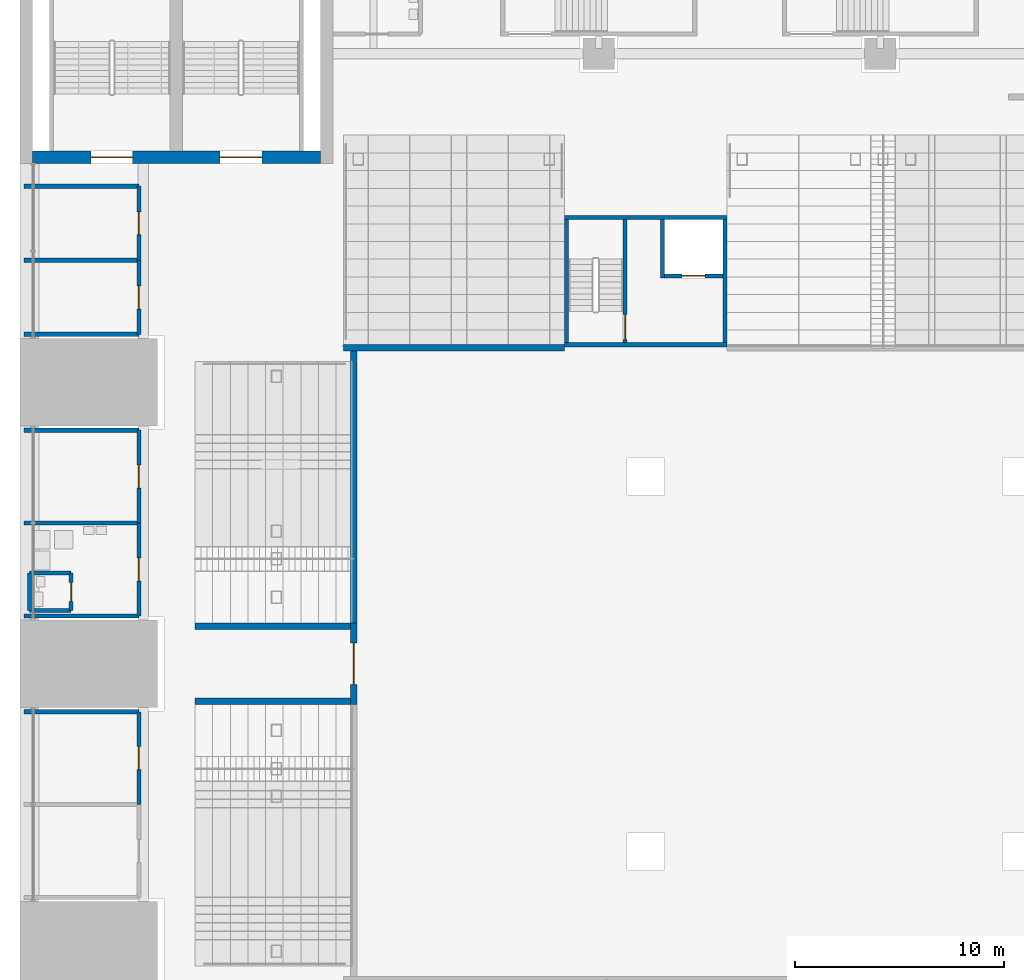
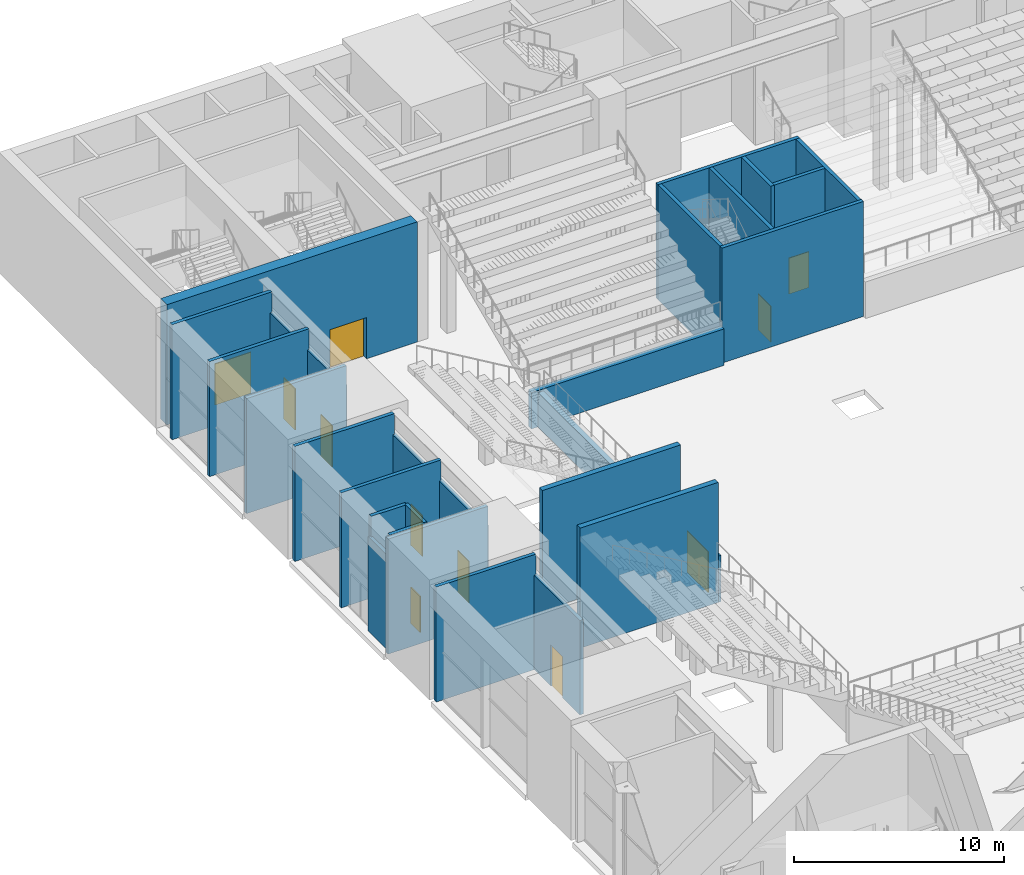
# One storey, part 36 of 62: 29 walls, 11 doors, 11 openings.
"""IFC4 building model written with IfcOpenShell, lengths in metres."""

from ifc_helpers import new_model, si_unit, direction, frame, frame_2d, origin, place, context, subcontext, project, spatial, rectangle, extrude, material, layer, layer_set, type_object, element, fill, save


model = new_model("IFC4")

# Units and contexts
model_context = context("Model", 3, precision=1e-05, world=origin(), true_north=direction((0.0, 1.0)))
body_context = subcontext(model_context, "Body", "Model", "MODEL_VIEW")
ifc_project = project(units=[si_unit("LENGTHUNIT", "METRE"), si_unit("AREAUNIT", "SQUARE_METRE"), si_unit("VOLUMEUNIT", "CUBIC_METRE"), si_unit("PLANEANGLEUNIT", "RADIAN"), si_unit("MASSUNIT", "GRAM", prefix="KILO")], contexts=[model_context])

# Site, building, storey
site_placement = place(None, origin())
site = spatial("IfcSite", under=ifc_project, at=site_placement, CompositionType="ELEMENT")
building_placement = place(site_placement, origin())
building = spatial("IfcBuilding", under=site, at=building_placement, Name="Corbelhall Arena Tower", CompositionType="ELEMENT")
storey_placement = place(building_placement, frame((0.0, 0.0, 12.0)))
storey = spatial("IfcBuildingStorey", under=building, at=storey_placement, Name="L01", CompositionType="ELEMENT", Elevation=12.0)

# Walls
ifc_material_1 = material(Name="Reinforced concrete C40/50", Category="concrete")
ifc_layer_1 = layer(ifc_material_1, 0.300048828125)
ifc_layer_set_1 = layer_set([ifc_layer_1], Name="AR-FRONT-WALL")
wall_type_1 = type_object("IfcWallType", Name="AR-FRONT-WALL", PredefinedType="SOLIDWALL", material=ifc_layer_set_1)
wall_1_placement = place(storey_placement, frame((-32.5, 15.14990234375, 0.0), z_axis=(0.0, 0.0, 1.0), x_axis=(1.0, 0.0, 0.0)))
element("IfcWall", 1, at=wall_1_placement, inside=storey, type_object=wall_type_1, Name="Tier front wall LN", PredefinedType="SOLIDWALL", context=body_context, shape_type="SweptSolid", body=[
    extrude(rectangle(XDim=10.60009765625, YDim=0.300048828125, at=frame_2d((5.300048828125, 0.0))), origin(), (0.0, 0.0, 1.0), 2.125),
])
wall_2_placement = place(storey_placement, frame((-32.0, 15.0, 0.0), z_axis=(0.0, 0.0, 1.0), x_axis=(0.0, -1.0, 0.0)))
element("IfcWall", 2, at=wall_2_placement, inside=storey, type_object=wall_type_1, Name="Tier front wall LW", PredefinedType="SOLIDWALL", context=body_context, shape_type="SweptSolid", body=[
    extrude(rectangle(XDim=13.050048828125, YDim=0.300048828125, at=frame_2d((6.52490234375, 0.0))), origin(), (0.0, 0.0, 1.0), 2.0),
])
for number, where, z_axis, x_axis, name in (
    (3, (-32.0, 1.800048828125, 0.0), (0.0, 0.0, 1.0), (-1.0, 0.0, 0.0), "Players' tunnel wall LW"),
    (4, (-32.0, -1.800048828125, 0.0), (0.0, 0.0, 1.0), (-1.0, 0.0, 0.0), "Players' tunnel wall LW"),
):
    element("IfcWall", number, at=place(storey_placement, frame(where, z_axis=z_axis, x_axis=x_axis)), inside=storey, type_object=wall_type_1, Name=name, PredefinedType="SOLIDWALL", context=body_context, shape_type="SweptSolid", body=[
        extrude(rectangle(XDim=7.60498046875, YDim=0.300048828125, at=frame_2d((3.802490234375, 0.0))), origin(), (0.0, 0.0, 1.0), 7.0),
    ])
ifc_material_2 = material(Name="Gypsum board on steel studs", Category="steel")
ifc_layer_2 = layer(ifc_material_2, 0.199951171875)
ifc_layer_set_2 = layer_set([ifc_layer_2], Name="AR-ROOM-WALL")
wall_type_2 = type_object("IfcWallType", Name="AR-ROOM-WALL", PredefinedType="PARTITIONING", material=ifc_layer_set_2)
for number, where, z_axis, x_axis, name in (
    (5, (-42.300048828125, 2.300048828125, 0.0), (0.0, 0.0, 1.0), (-1.0, 0.0, 0.0), "Team locker room 2 end wall"),
    (6, (-47.800048828125, 6.75, 0.0), (0.0, 0.0, 1.0), (1.0, 0.0, 0.0), "Team locker room 2 partition"),
):
    element("IfcWall", number, at=place(storey_placement, frame(where, z_axis=z_axis, x_axis=x_axis)), inside=storey, type_object=wall_type_2, Name=name, PredefinedType="PARTITIONING", context=body_context, shape_type="SweptSolid", body=[
        extrude(rectangle(XDim=5.5, YDim=0.199951171875, at=frame_2d((2.75, 0.0))), origin(), (0.0, 0.0, 1.0), 6.699951171875),
    ])
for number, where, z_axis, x_axis, name in (
    (7, (-47.550048828125, 2.550048828125, 0.0), (0.0, 0.0, 1.0), (1.0, 0.0, 0.0), "Team WC 2 wall"),
    (8, (-45.550048828125, 4.35009765625, 0.0), (0.0, 0.0, 1.0), (-1.0, 0.0, 0.0), "Team WC 2 wall"),
):
    element("IfcWall", number, at=place(storey_placement, frame(where, z_axis=z_axis, x_axis=x_axis)), inside=storey, type_object=wall_type_2, Name=name, PredefinedType="PARTITIONING", context=body_context, shape_type="SweptSolid", body=[
        extrude(rectangle(XDim=2.0, YDim=0.199951171875, at=frame_2d((1.0, 0.0))), origin(), (0.0, 0.0, 1.0), 6.699951171875),
    ])

# Wall, opening, door
wall_3_placement = place(storey_placement, frame((-45.550048828125, 2.550048828125, 0.0), z_axis=(0.0, 0.0, 1.0), x_axis=(0.0, 1.0, 0.0)))
wall_3 = element("IfcWall", 9, at=wall_3_placement, inside=storey, type_object=wall_type_2, Name="Team WC 2 wall", PredefinedType="PARTITIONING", context=body_context, shape_type="SweptSolid", body=[
    extrude(rectangle(XDim=1.800048828125, YDim=0.199951171875, at=frame_2d((0.89990234375, 0.0))), origin(), (0.0, 0.0, 1.0), 6.699951171875),
])
opening_1_placement = place(wall_3_placement, frame((0.449951171875, 0.0, 0.0)))
opening_1 = element("IfcOpeningElement", 10, at=opening_1_placement, cuts=wall_3, Name="Opening DA0351", PredefinedType="OPENING", context=body_context, shape_type="SweptSolid", body=[
    extrude(rectangle(XDim=0.89990234375, YDim=2.10009765625, at=frame_2d((0.449951171875, 1.050048828125))), frame((0.0, 0.10009765625, 0.0), z_axis=(0.0, -1.0, 0.0), x_axis=(1.0, 0.0, 0.0)), (0.0, 0.0, 1.0), 0.199951171875),
])
ifc_material_3 = material(Name="Timber", Category="wood")
door_type_1 = type_object("IfcDoorType", Name="AR-CELL-DOOR", OperationType="SINGLE_SWING_LEFT", PredefinedType="DOOR", material=ifc_material_3)
door_1_placement = place(opening_1_placement, origin())
door_1 = element("IfcDoor", 11, at=door_1_placement, inside=storey, type_object=door_type_1, Name="Team WC 2 door", OperationType="SINGLE_SWING_LEFT", OverallHeight=2.10009765625, OverallWidth=0.89990234375, PredefinedType="DOOR", context=body_context, shape_type="SweptSolid", body=[
    extrude(rectangle(XDim=0.89990234375, YDim=2.10009765625, at=frame_2d((0.449951171875, 1.050048828125))), frame((0.0, 0.02490234375, 0.0), z_axis=(0.0, -1.0, 0.0), x_axis=(1.0, 0.0, 0.0)), (0.0, 0.0, 1.0), 0.050048828125),
])
fill(opening_1, door_1)

# Walls
for number, where, z_axis, x_axis, name in (
    (12, (-42.300048828125, 11.199951171875, 0.0), (0.0, 0.0, 1.0), (-1.0, 0.0, 0.0), "Officials and referees room 2 end wall"),
    (13, (-42.300048828125, -2.300048828125, 0.0), (0.0, 0.0, 1.0), (-1.0, 0.0, 0.0), "Equipment store 2 end wall"),
    (14, (-42.300048828125, 15.800048828125, 0.0), (0.0, 0.0, 1.0), (-1.0, 0.0, 0.0), "Event staff room 2 end wall"),
    (15, (-47.800048828125, 19.35009765625, 0.0), (0.0, 0.0, 1.0), (1.0, 0.0, 0.0), "Event staff room 2 partition"),
    (16, (-42.300048828125, 22.89990234375, 0.0), (0.0, 0.0, 1.0), (-1.0, 0.0, 0.0), "Production control room 2 end wall"),
):
    element("IfcWall", number, at=place(storey_placement, frame(where, z_axis=z_axis, x_axis=x_axis)), inside=storey, type_object=wall_type_2, Name=name, PredefinedType="PARTITIONING", context=body_context, shape_type="SweptSolid", body=[
        extrude(rectangle(XDim=5.5, YDim=0.199951171875, at=frame_2d((2.75, 0.0))), origin(), (0.0, 0.0, 1.0), 6.699951171875),
    ])

# Wall, opening, door
wall_4_placement = place(storey_placement, frame((-32.0, 1.949951171875, 0.0), z_axis=(0.0, 0.0, 1.0), x_axis=(0.0, -1.0, 0.0)))
wall_4 = element("IfcWall", 17, at=wall_4_placement, inside=storey, type_object=wall_type_2, Name="Players' tunnel gate wall", PredefinedType="PARTITIONING", context=body_context, shape_type="SweptSolid", body=[
    extrude(rectangle(XDim=3.89990234375, YDim=0.300048828125, at=frame_2d((1.949951171875, 0.0))), origin(), (0.0, 0.0, 1.0), 2.699951171875),
])
opening_2_placement = place(wall_4_placement, frame((0.949951171875, 0.0, 0.0)))
opening_2 = element("IfcOpeningElement", 18, at=opening_2_placement, cuts=wall_4, Name="Opening DA0484", PredefinedType="OPENING", context=body_context, shape_type="SweptSolid", body=[
    extrude(rectangle(XDim=2.0, YDim=2.39990234375, at=frame_2d((1.0, 1.199951171875))), frame((0.0, 0.14990234375, 0.0), z_axis=(0.0, -1.0, 0.0), x_axis=(1.0, 0.0, 0.0)), (0.0, 0.0, 1.0), 0.300048828125),
])
ifc_material_4 = material(Name="Steel and glass", Category="steel")
door_type_2 = type_object("IfcDoorType", Name="AR-EXIT-DOOR", OperationType="DOUBLE_DOOR_SINGLE_SWING", PredefinedType="DOOR", material=ifc_material_4)
door_2_placement = place(opening_2_placement, frame((2.0, 0.0, 0.0), z_axis=(0.0, 0.0, 1.0), x_axis=(-1.0, 0.0, 0.0)))
door_2 = element("IfcDoor", 19, at=door_2_placement, inside=storey, type_object=door_type_2, Name="Event floor gate", OperationType="DOUBLE_DOOR_SINGLE_SWING", OverallHeight=2.39990234375, OverallWidth=2.0, PredefinedType="DOOR", context=body_context, shape_type="SweptSolid", body=[
    extrude(rectangle(XDim=2.0, YDim=2.39990234375, at=frame_2d((1.0, 1.199951171875))), frame((0.0, 0.02490234375, 0.0), z_axis=(0.0, -1.0, 0.0), x_axis=(1.0, 0.0, 0.0)), (0.0, 0.0, 1.0), 0.050048828125),
])
fill(opening_2, door_2)

ifc_layer_3 = layer(ifc_material_2, 0.199951171875)
ifc_layer_set_3 = layer_set([ifc_layer_3], Name="AR-ROOM-WALL under beam 1200 mm")
wall_type_3 = type_object("IfcWallType", Name="AR-ROOM-WALL under beam 1200 mm", PredefinedType="PARTITIONING", material=ifc_layer_set_3)
wall_5_placement = place(storey_placement, frame((-42.300048828125, 2.300048828125, 0.0), z_axis=(0.0, 0.0, 1.0), x_axis=(0.0, 1.0, 0.0)))
wall_5 = element("IfcWall", 20, at=wall_5_placement, inside=storey, type_object=wall_type_3, Name="Team locker room 2 wall", PredefinedType="PARTITIONING", context=body_context, shape_type="SweptSolid", body=[
    extrude(rectangle(XDim=4.449951171875, YDim=0.199951171875, at=frame_2d((2.22509765625, 0.0))), origin(), (0.0, 0.0, 1.0), 5.5),
])
opening_3_placement = place(wall_5_placement, frame((1.675048828125, 0.0, 0.0)))
opening_3 = element("IfcOpeningElement", 21, at=opening_3_placement, cuts=wall_5, Name="Opening DA0350", PredefinedType="OPENING", context=body_context, shape_type="SweptSolid", body=[
    extrude(rectangle(XDim=1.10009765625, YDim=2.39990234375, at=frame_2d((0.550048828125, 1.199951171875))), frame((0.0, 0.10009765625, 0.0), z_axis=(0.0, -1.0, 0.0), x_axis=(1.0, 0.0, 0.0)), (0.0, 0.0, 1.0), 0.199951171875),
])
door_type_3 = type_object("IfcDoorType", Name="AR-ROOM-DOOR", OperationType="DOUBLE_DOOR_SINGLE_SWING", PredefinedType="DOOR", material=ifc_material_3)
door_3_placement = place(opening_3_placement, origin())
door_3 = element("IfcDoor", 22, at=door_3_placement, inside=storey, type_object=door_type_3, Name="Team locker room 2 door", OperationType="DOUBLE_DOOR_SINGLE_SWING", OverallHeight=2.39990234375, OverallWidth=1.10009765625, PredefinedType="DOOR", context=body_context, shape_type="SweptSolid", body=[
    extrude(rectangle(XDim=1.10009765625, YDim=2.39990234375, at=frame_2d((0.550048828125, 1.199951171875))), frame((0.0, 0.02490234375, 0.0), z_axis=(0.0, -1.0, 0.0), x_axis=(1.0, 0.0, 0.0)), (0.0, 0.0, 1.0), 0.050048828125),
])
fill(opening_3, door_3)

# Wall
wall_6_placement = place(storey_placement, frame((-47.550048828125, 2.550048828125, 0.0), z_axis=(0.0, 0.0, 1.0), x_axis=(0.0, 1.0, 0.0)))
element("IfcWall", 23, at=wall_6_placement, inside=storey, type_object=wall_type_3, Name="Team WC 2 wall", PredefinedType="PARTITIONING", context=body_context, shape_type="SweptSolid", body=[
    extrude(rectangle(XDim=1.800048828125, YDim=0.199951171875, at=frame_2d((0.89990234375, 0.0))), origin(), (0.0, 0.0, 1.0), 5.5),
])

# Wall, opening, door
wall_7_placement = place(storey_placement, frame((-42.300048828125, 6.75, 0.0), z_axis=(0.0, 0.0, 1.0), x_axis=(0.0, 1.0, 0.0)))
wall_7 = element("IfcWall", 24, at=wall_7_placement, inside=storey, type_object=wall_type_3, Name="Officials and referees room 2 wall", PredefinedType="PARTITIONING", context=body_context, shape_type="SweptSolid", body=[
    extrude(rectangle(XDim=4.449951171875, YDim=0.199951171875, at=frame_2d((2.22509765625, 0.0))), origin(), (0.0, 0.0, 1.0), 5.5),
])
opening_4_placement = place(wall_7_placement, frame((1.675048828125, 0.0, 0.0)))
opening_4 = element("IfcOpeningElement", 25, at=opening_4_placement, cuts=wall_7, Name="Opening DA0352", PredefinedType="OPENING", context=body_context, shape_type="SweptSolid", body=[
    extrude(rectangle(XDim=1.10009765625, YDim=2.39990234375, at=frame_2d((0.550048828125, 1.199951171875))), frame((0.0, 0.10009765625, 0.0), z_axis=(0.0, -1.0, 0.0), x_axis=(1.0, 0.0, 0.0)), (0.0, 0.0, 1.0), 0.199951171875),
])
door_4_placement = place(opening_4_placement, origin())
door_4 = element("IfcDoor", 26, at=door_4_placement, inside=storey, type_object=door_type_3, Name="Officials and referees room 2 door", OperationType="DOUBLE_DOOR_SINGLE_SWING", OverallHeight=2.39990234375, OverallWidth=1.10009765625, PredefinedType="DOOR", context=body_context, shape_type="SweptSolid", body=[
    extrude(rectangle(XDim=1.10009765625, YDim=2.39990234375, at=frame_2d((0.550048828125, 1.199951171875))), frame((0.0, 0.02490234375, 0.0), z_axis=(0.0, -1.0, 0.0), x_axis=(1.0, 0.0, 0.0)), (0.0, 0.0, 1.0), 0.050048828125),
])
fill(opening_4, door_4)

wall_8_placement = place(storey_placement, frame((-42.300048828125, -6.75, 0.0), z_axis=(0.0, 0.0, 1.0), x_axis=(0.0, 1.0, 0.0)))
wall_8 = element("IfcWall", 27, at=wall_8_placement, inside=storey, type_object=wall_type_3, Name="Equipment store 2 wall", PredefinedType="PARTITIONING", context=body_context, shape_type="SweptSolid", body=[
    extrude(rectangle(XDim=4.449951171875, YDim=0.199951171875, at=frame_2d((2.22509765625, 0.0))), origin(), (0.0, 0.0, 1.0), 5.5),
])
opening_5_placement = place(wall_8_placement, frame((1.675048828125, 0.0, 0.0)))
opening_5 = element("IfcOpeningElement", 28, at=opening_5_placement, cuts=wall_8, Name="Opening DA0354", PredefinedType="OPENING", context=body_context, shape_type="SweptSolid", body=[
    extrude(rectangle(XDim=1.10009765625, YDim=2.39990234375, at=frame_2d((0.550048828125, 1.199951171875))), frame((0.0, 0.10009765625, 0.0), z_axis=(0.0, -1.0, 0.0), x_axis=(1.0, 0.0, 0.0)), (0.0, 0.0, 1.0), 0.199951171875),
])
door_5_placement = place(opening_5_placement, origin())
door_5 = element("IfcDoor", 29, at=door_5_placement, inside=storey, type_object=door_type_3, Name="Equipment store 2 door", OperationType="DOUBLE_DOOR_SINGLE_SWING", OverallHeight=2.39990234375, OverallWidth=1.10009765625, PredefinedType="DOOR", context=body_context, shape_type="SweptSolid", body=[
    extrude(rectangle(XDim=1.10009765625, YDim=2.39990234375, at=frame_2d((0.550048828125, 1.199951171875))), frame((0.0, 0.02490234375, 0.0), z_axis=(0.0, -1.0, 0.0), x_axis=(1.0, 0.0, 0.0)), (0.0, 0.0, 1.0), 0.050048828125),
])
fill(opening_5, door_5)

wall_9_placement = place(storey_placement, frame((-42.300048828125, 15.800048828125, 0.0), z_axis=(0.0, 0.0, 1.0), x_axis=(0.0, 1.0, 0.0)))
wall_9 = element("IfcWall", 30, at=wall_9_placement, inside=storey, type_object=wall_type_3, Name="Event staff room 2 wall", PredefinedType="PARTITIONING", context=body_context, shape_type="SweptSolid", body=[
    extrude(rectangle(XDim=3.550048828125, YDim=0.199951171875, at=frame_2d((1.77490234375, 0.0))), origin(), (0.0, 0.0, 1.0), 5.5),
])
opening_6_placement = place(wall_9_placement, frame((1.22509765625, 0.0, 0.0)))
opening_6 = element("IfcOpeningElement", 31, at=opening_6_placement, cuts=wall_9, Name="Opening DA0355", PredefinedType="OPENING", context=body_context, shape_type="SweptSolid", body=[
    extrude(rectangle(XDim=1.10009765625, YDim=2.39990234375, at=frame_2d((0.550048828125, 1.199951171875))), frame((0.0, 0.10009765625, 0.0), z_axis=(0.0, -1.0, 0.0), x_axis=(1.0, 0.0, 0.0)), (0.0, 0.0, 1.0), 0.199951171875),
])
door_6_placement = place(opening_6_placement, origin())
door_6 = element("IfcDoor", 32, at=door_6_placement, inside=storey, type_object=door_type_3, Name="Event staff room 2 door", OperationType="DOUBLE_DOOR_SINGLE_SWING", OverallHeight=2.39990234375, OverallWidth=1.10009765625, PredefinedType="DOOR", context=body_context, shape_type="SweptSolid", body=[
    extrude(rectangle(XDim=1.10009765625, YDim=2.39990234375, at=frame_2d((0.550048828125, 1.199951171875))), frame((0.0, 0.02490234375, 0.0), z_axis=(0.0, -1.0, 0.0), x_axis=(1.0, 0.0, 0.0)), (0.0, 0.0, 1.0), 0.050048828125),
])
fill(opening_6, door_6)

wall_10_placement = place(storey_placement, frame((-42.300048828125, 19.35009765625, 0.0), z_axis=(0.0, 0.0, 1.0), x_axis=(0.0, 1.0, 0.0)))
wall_10 = element("IfcWall", 33, at=wall_10_placement, inside=storey, type_object=wall_type_3, Name="Production control room 2 wall", PredefinedType="PARTITIONING", context=body_context, shape_type="SweptSolid", body=[
    extrude(rectangle(XDim=3.5498046875, YDim=0.199951171875, at=frame_2d((1.77490234375, 0.0))), origin(), (0.0, 0.0, 1.0), 5.5),
])
opening_7_placement = place(wall_10_placement, frame((1.22509765625, 0.0, 0.0)))
opening_7 = element("IfcOpeningElement", 34, at=opening_7_placement, cuts=wall_10, Name="Opening DA0356", PredefinedType="OPENING", context=body_context, shape_type="SweptSolid", body=[
    extrude(rectangle(XDim=1.10009765625, YDim=2.39990234375, at=frame_2d((0.550048828125, 1.199951171875))), frame((0.0, 0.10009765625, 0.0), z_axis=(0.0, -1.0, 0.0), x_axis=(1.0, 0.0, 0.0)), (0.0, 0.0, 1.0), 0.199951171875),
])
door_7_placement = place(opening_7_placement, origin())
door_7 = element("IfcDoor", 35, at=door_7_placement, inside=storey, type_object=door_type_3, Name="Production control room 2 door", OperationType="DOUBLE_DOOR_SINGLE_SWING", OverallHeight=2.39990234375, OverallWidth=1.10009765625, PredefinedType="DOOR", context=body_context, shape_type="SweptSolid", body=[
    extrude(rectangle(XDim=1.10009765625, YDim=2.39990234375, at=frame_2d((0.550048828125, 1.199951171875))), frame((0.0, 0.02490234375, 0.0), z_axis=(0.0, -1.0, 0.0), x_axis=(1.0, 0.0, 0.0)), (0.0, 0.0, 1.0), 0.050048828125),
])
fill(opening_7, door_7)

# Walls
ifc_material_5 = material(Name="Concrete C40/50", Category="concrete")
ifc_layer_4 = layer(ifc_material_5, 0.199951171875)
ifc_layer_set_4 = layer_set([ifc_layer_4], Name="IN-W-EAR200")
wall_type_4 = type_object("IfcWallType", Name="IN-W-EAR200", PredefinedType="SOLIDWALL", material=ifc_layer_set_4)
for number, where, z_axis, x_axis, name in (
    (36, (-21.89990234375, 15.300048828125, 0.0), (0.0, 0.0, 1.0), (1.0, 0.0, 0.0), "Fire service turret wall south"),
    (37, (-21.89990234375, 21.39990234375, 0.0), (0.0, 0.0, 1.0), (1.0, 0.0, 0.0), "Fire service turret wall north"),
):
    element("IfcWall", number, at=place(storey_placement, frame(where, z_axis=z_axis, x_axis=x_axis)), inside=storey, type_object=wall_type_4, Name=name, PredefinedType="SOLIDWALL", context=body_context, shape_type="SweptSolid", body=[
        extrude(rectangle(XDim=7.7998046875, YDim=0.199951171875, at=frame_2d((3.89990234375, 0.0))), origin(), (0.0, 0.0, 1.0), 6.699951171875),
    ])
for number, where, z_axis, x_axis, name in (
    (38, (-21.800048828125, 15.39990234375, 0.0), (0.0, 0.0, 1.0), (0.0, 1.0, 0.0), "Fire service turret wall west"),
    (39, (-14.199951171875, 15.39990234375, 0.0), (0.0, 0.0, 1.0), (0.0, 1.0, 0.0), "Fire service turret wall east"),
):
    element("IfcWall", number, at=place(storey_placement, frame(where, z_axis=z_axis, x_axis=x_axis)), inside=storey, type_object=wall_type_4, Name=name, PredefinedType="SOLIDWALL", context=body_context, shape_type="SweptSolid", body=[
        extrude(rectangle(XDim=5.900146484375, YDim=0.199951171875, at=frame_2d((2.9501953125, 0.0))), origin(), (0.0, 0.0, 1.0), 6.699951171875),
    ])

# Wall, opening, door
wall_11_placement = place(storey_placement, frame((-18.989990234375, 15.39990234375, 0.0), z_axis=(0.0, 0.0, 1.0), x_axis=(0.0, 1.0, 0.0)))
wall_11 = element("IfcWall", 40, at=wall_11_placement, inside=storey, type_object=wall_type_4, Name="Fire service turret wall stair", PredefinedType="SOLIDWALL", context=body_context, shape_type="SweptSolid", body=[
    extrude(rectangle(XDim=5.900146484375, YDim=0.199951171875, at=frame_2d((2.9501953125, 0.0))), origin(), (0.0, 0.0, 1.0), 6.699951171875),
])
opening_8_placement = place(wall_11_placement, frame((0.14990234375, 0.0, 0.0)))
opening_8 = element("IfcOpeningElement", 41, at=opening_8_placement, cuts=wall_11, Name="Opening E011", PredefinedType="OPENING", context=body_context, shape_type="SweptSolid", body=[
    extrude(rectangle(XDim=1.199951171875, YDim=2.10009765625, at=frame_2d((0.60009765625, 1.050048828125))), frame((0.0, 0.10009765625, 0.0), z_axis=(0.0, -1.0, 0.0), x_axis=(1.0, 0.0, 0.0)), (0.0, 0.0, 1.0), 0.199951171875),
])
ifc_material_6 = material(Name="Steel door set", Category="steel")
door_type_4 = type_object("IfcDoorType", Name="IN-D-ST120", OperationType="NOTDEFINED", PredefinedType="DOOR", material=ifc_material_6)
door_8_placement = place(opening_8_placement, origin())
door_8 = element("IfcDoor", 42, at=door_8_placement, inside=storey, type_object=door_type_4, Name="Stair door to fire service lobby", OperationType="SINGLE_SWING_LEFT", OverallHeight=2.10009765625, OverallWidth=1.199951171875, PredefinedType="DOOR", context=body_context, shape_type="SweptSolid", body=[
    extrude(rectangle(XDim=1.199951171875, YDim=2.10009765625, at=frame_2d((0.60009765625, 1.050048828125))), frame((0.0, 0.02490234375, 0.0), z_axis=(0.0, -1.0, 0.0), x_axis=(1.0, 0.0, 0.0)), (0.0, 0.0, 1.0), 0.050048828125),
])
fill(opening_8, door_8)

# Wall
wall_12_placement = place(storey_placement, frame((-17.199951171875, 18.5, 0.0), z_axis=(0.0, 0.0, 1.0), x_axis=(0.0, 1.0, 0.0)))
element("IfcWall", 43, at=wall_12_placement, inside=storey, type_object=wall_type_4, Name="Fire service turret wall hoistway west", PredefinedType="SOLIDWALL", context=body_context, shape_type="SweptSolid", body=[
    extrude(rectangle(XDim=2.800048828125, YDim=0.199951171875, at=frame_2d((1.39990234375, 0.0))), origin(), (0.0, 0.0, 1.0), 6.699951171875),
])

# Wall, opening, door
wall_13_placement = place(storey_placement, frame((-17.10009765625, 18.60009765625, 0.0), z_axis=(0.0, 0.0, 1.0), x_axis=(1.0, 0.0, 0.0)))
wall_13 = element("IfcWall", 44, at=wall_13_placement, inside=storey, type_object=wall_type_4, Name="Fire service turret wall hoistway south", PredefinedType="SOLIDWALL", context=body_context, shape_type="SweptSolid", body=[
    extrude(rectangle(XDim=2.800048828125, YDim=0.199951171875, at=frame_2d((1.39990234375, 0.0))), origin(), (0.0, 0.0, 1.0), 6.699951171875),
])
opening_9_placement = place(wall_13_placement, frame((0.85009765625, 0.0, 0.0)))
opening_9 = element("IfcOpeningElement", 45, at=opening_9_placement, cuts=wall_13, Name="Opening LD", PredefinedType="OPENING", context=body_context, shape_type="SweptSolid", body=[
    extrude(rectangle(XDim=1.10009765625, YDim=2.10009765625, at=frame_2d((0.550048828125, 1.050048828125))), frame((0.0, 0.10009765625, 0.0), z_axis=(0.0, -1.0, 0.0), x_axis=(1.0, 0.0, 0.0)), (0.0, 0.0, 1.0), 0.199951171875),
])
door_type_5 = type_object("IfcDoorType", Name="IN-D-LD110", OperationType="NOTDEFINED", PredefinedType="DOOR", material=ifc_material_6)
door_9_placement = place(opening_9_placement, origin())
door_9 = element("IfcDoor", 46, at=door_9_placement, inside=storey, type_object=door_type_5, Name="Landing door FS1", OperationType="SLIDING_TO_LEFT", OverallHeight=2.10009765625, OverallWidth=1.10009765625, PredefinedType="DOOR", context=body_context, shape_type="SweptSolid", body=[
    extrude(rectangle(XDim=1.10009765625, YDim=2.10009765625, at=frame_2d((0.550048828125, 1.050048828125))), frame((0.0, 0.02490234375, 0.0), z_axis=(0.0, -1.0, 0.0), x_axis=(1.0, 0.0, 0.0)), (0.0, 0.0, 1.0), 0.050048828125),
])
fill(opening_9, door_9)

# Wall, openings, doors
ifc_material_7 = material(Name="Concrete C80/95", Category="concrete")
ifc_layer_5 = layer(ifc_material_7, 0.60009765625)
ifc_layer_set_5 = layer_set([ifc_layer_5], Name="PO-CORE-WALL")
wall_type_5 = type_object("IfcWallType", Name="PO-CORE-WALL", PredefinedType="SHEAR", material=ifc_layer_set_5)
wall_14_placement = place(storey_placement, frame((-47.39990234375, 24.300048828125, 0.0), z_axis=(0.0, 0.0, 1.0), x_axis=(1.0, 0.0, 0.0)))
wall_14 = element("IfcWall", 47, at=wall_14_placement, inside=storey, type_object=wall_type_5, Name="CORE NW WALL S L01", PredefinedType="SHEAR", context=body_context, shape_type="SweptSolid", body=[
    extrude(rectangle(XDim=13.7998046875, YDim=0.60009765625, at=frame_2d((6.89990234375, 0.0))), origin(), (0.0, 0.0, 1.0), 7.0),
])
opening_10_placement = place(wall_14_placement, frame((8.9951171875, 0.0, 0.0)))
opening_10 = element("IfcOpeningElement", 48, at=opening_10_placement, cuts=wall_14, Name="Opening DA0070", PredefinedType="OPENING", context=body_context, shape_type="SweptSolid", body=[
    extrude(rectangle(XDim=2.0, YDim=2.39990234375, at=frame_2d((1.0, 1.199951171875))), frame((0.0, 0.300048828125, 0.0), z_axis=(0.0, -1.0, 0.0), x_axis=(1.0, 0.0, 0.0)), (0.0, 0.0, 1.0), 0.60009765625),
])
opening_11_placement = place(wall_14_placement, frame((2.804931640625, 0.0, 0.0)))
opening_11 = element("IfcOpeningElement", 49, at=opening_11_placement, cuts=wall_14, Name="Opening DA0078", PredefinedType="OPENING", context=body_context, shape_type="SweptSolid", body=[
    extrude(rectangle(XDim=2.0, YDim=2.39990234375, at=frame_2d((1.0, 1.199951171875))), frame((0.0, 0.300048828125, 0.0), z_axis=(0.0, -1.0, 0.0), x_axis=(1.0, 0.0, 0.0)), (0.0, 0.0, 1.0), 0.60009765625),
])
door_type_6 = type_object("IfcDoorType", Name="AR-STAIR-DOOR", OperationType="DOUBLE_DOOR_SINGLE_SWING", PredefinedType="DOOR", material=ifc_material_4)
door_10_placement = place(opening_10_placement, origin())
door_10 = element("IfcDoor", 50, at=door_10_placement, inside=storey, type_object=door_type_6, Name="Stair AS3 door", OperationType="DOUBLE_DOOR_SINGLE_SWING", OverallHeight=2.39990234375, OverallWidth=2.0, PredefinedType="DOOR", context=body_context, shape_type="SweptSolid", body=[
    extrude(rectangle(XDim=2.0, YDim=2.39990234375, at=frame_2d((1.0, 1.199951171875))), frame((0.0, 0.02490234375, 0.0), z_axis=(0.0, -1.0, 0.0), x_axis=(1.0, 0.0, 0.0)), (0.0, 0.0, 1.0), 0.050048828125),
])
fill(opening_10, door_10)
door_11_placement = place(opening_11_placement, origin())
door_11 = element("IfcDoor", 51, at=door_11_placement, inside=storey, type_object=door_type_6, Name="Stair AS4 door", OperationType="DOUBLE_DOOR_SINGLE_SWING", OverallHeight=2.39990234375, OverallWidth=2.0, PredefinedType="DOOR", context=body_context, shape_type="SweptSolid", body=[
    extrude(rectangle(XDim=2.0, YDim=2.39990234375, at=frame_2d((1.0, 1.199951171875))), frame((0.0, 0.02490234375, 0.0), z_axis=(0.0, -1.0, 0.0), x_axis=(1.0, 0.0, 0.0)), (0.0, 0.0, 1.0), 0.050048828125),
])
fill(opening_11, door_11)

save(model, "model.ifc")
